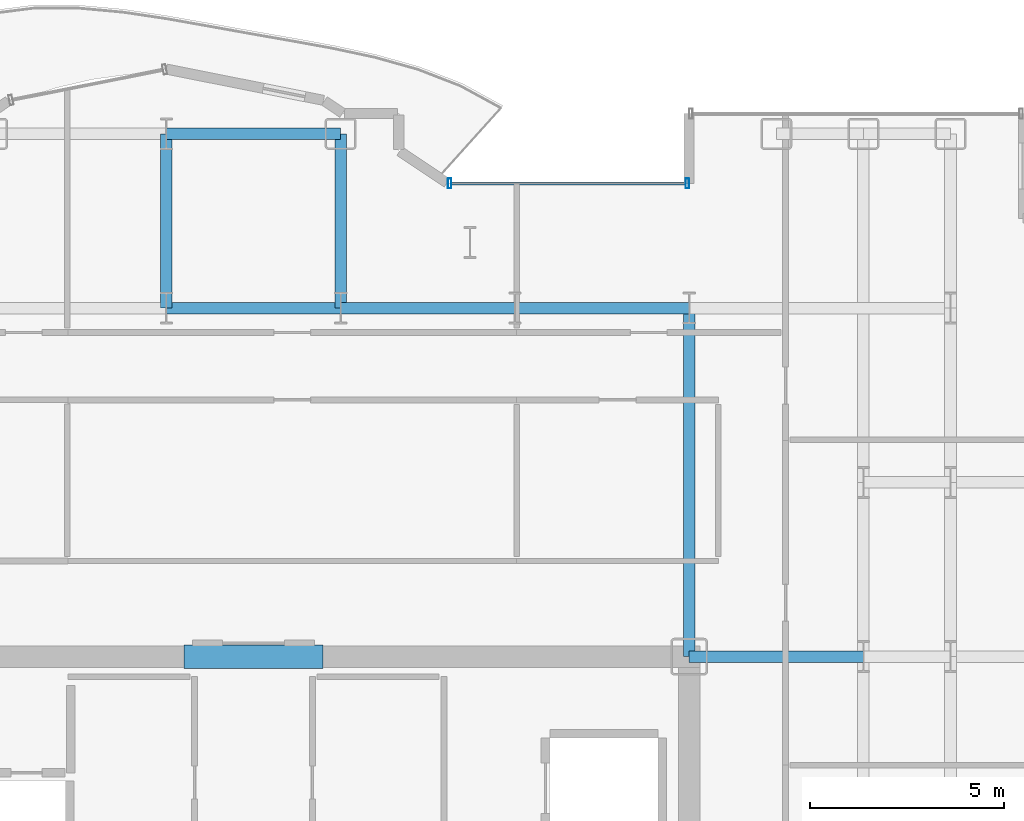
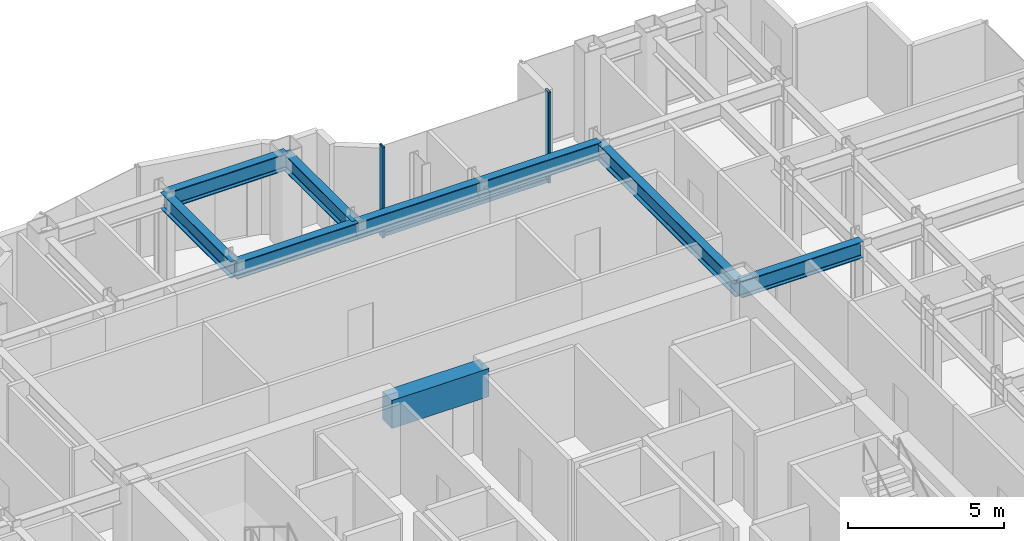
# One storey, part 12 of 23: 9 beams, 3 members, 1 element without a shape of its own.
"""IFC4 building model written with IfcOpenShell, lengths in metres."""

from ifc_helpers import new_model, si_unit, direction, frame, origin, origin_2d, place, context, subcontext, project, spatial, rectangle, hollow_rectangle, i_section, extrude, source, transform, mapped, material, layer, layer_set, material_profile, profile_set, type_object, element, aggregate, save


model = new_model("IFC4")

# Units and contexts
model_context = context("Model", 3, precision=1e-05, world=origin(), true_north=direction((0.0, 1.0)))
body_context = subcontext(model_context, "Body", "Model", "MODEL_VIEW")
ifc_project = project(units=[si_unit("LENGTHUNIT", "METRE"), si_unit("AREAUNIT", "SQUARE_METRE"), si_unit("VOLUMEUNIT", "CUBIC_METRE"), si_unit("PLANEANGLEUNIT", "RADIAN"), si_unit("MASSUNIT", "GRAM", prefix="KILO")], contexts=[model_context])

# Site, building, storey
site_placement = place(None, origin())
site = spatial("IfcSite", under=ifc_project, at=site_placement, CompositionType="ELEMENT")
building_placement = place(site_placement, origin())
building = spatial("IfcBuilding", under=site, at=building_placement, Name="Nefas-Gora Pilgrimage Tower", CompositionType="ELEMENT")
storey_placement = place(building_placement, frame((0.0, 0.0, 164.0)))
storey = spatial("IfcBuildingStorey", under=building, at=storey_placement, Name="L40", CompositionType="ELEMENT", Elevation=164.0)

# Beams
ifc_material_1 = material(Name="Concrete C60/75", Category="concrete")
ifc_material_profile_1 = material_profile(ifc_material_1, rectangle(XDim=0.60009765625, YDim=1.10009765625, at=origin_2d()), Name="RC 600x1100")
ifc_profile_set_1 = profile_set([ifc_material_profile_1], Name="Concrete C60/75")
beam_type_1 = type_object("IfcBeamType", Name="BM-LIN-RC1100", PredefinedType="LINTEL", material=ifc_profile_set_1)
shared_shape_1 = source(origin(), body_context, "Body", "SweptSolid", [
    extrude(rectangle(XDim=0.60009765625, YDim=1.10009765625, at=origin_2d()), origin(), (0.0, 0.0, 1.0), 3.60009765625),
])
beam_1_placement = place(storey_placement, frame((-1.800048828125, 9.0, 3.0), z_axis=(1.0, 0.0, 0.0), x_axis=(0.0, 1.0, 0.0)))
element("IfcBeam", 1, at=beam_1_placement, inside=storey, type_object=beam_type_1, Name="L40 Core Coupling Lintel Beam N", PredefinedType="LINTEL", context=body_context, shape_type="MappedRepresentation", body=[
    mapped(shared_shape_1, transform((0.0, 0.0, 0.0), x_axis=(1.0, 0.0, 0.0), y_axis=(0.0, 1.0, 0.0), z_axis=(0.0, 0.0, 1.0), scale=1.0)),
])
ifc_material_2 = material(Name="Steel S355", Category="steel")
ifc_material_profile_2 = material_profile(ifc_material_2, i_section(OverallWidth=0.300048828125, OverallDepth=0.64990234375, WebThickness=0.01611328125, FlangeThickness=0.031005859375, FilletRadius=0.027099609375, at=origin_2d()), Name="HEB 650")
ifc_profile_set_2 = profile_set([ifc_material_profile_2], Name="Steel S355")
beam_type_2 = type_object("IfcBeamType", Name="BM-GIR-HEB650", PredefinedType="BEAM", material=ifc_profile_set_2)
shared_shape_2 = source(origin(), body_context, "Body", "SweptSolid", [
    extrude(i_section(OverallWidth=0.300048828125, OverallDepth=0.64990234375, WebThickness=0.01611328125, FlangeThickness=0.031005859375, FilletRadius=0.027099609375, at=origin_2d()), origin(), (0.0, 0.0, 1.0), 9.0),
])
beam_2_placement = place(storey_placement, frame((11.25, 9.0, 3.22509765625), z_axis=(0.0, 1.0, 0.0), x_axis=(-1.0, 0.0, 0.0)))
element("IfcBeam", 2, at=beam_2_placement, inside=storey, type_object=beam_type_2, Name="L40 G-03 beam", PredefinedType="BEAM", context=body_context, shape_type="MappedRepresentation", body=[
    mapped(shared_shape_2, transform((0.0, 0.0, 0.0), x_axis=(1.0, 0.0, 0.0), y_axis=(0.0, 1.0, 0.0), z_axis=(0.0, 0.0, 1.0), scale=1.0)),
])
shared_shape_3 = source(origin(), body_context, "Body", "SweptSolid", [
    extrude(i_section(OverallWidth=0.300048828125, OverallDepth=0.64990234375, WebThickness=0.01611328125, FlangeThickness=0.031005859375, FilletRadius=0.027099609375, at=origin_2d()), origin(), (0.0, 0.0, 1.0), 4.5),
])
for number, where, z_axis, x_axis, name in (
    (3, (-2.25, 18.0, 3.22509765625), (0.0, 1.0, 0.0), (-1.0, 0.0, 0.0), "L40 G-03 beam"),
    (4, (-2.25, 18.0, 3.22509765625), (1.0, 0.0, 0.0), (0.0, 1.0, 0.0), "L40 G-03 beam"),
    (5, (-2.25, 22.5, 3.22509765625), (1.0, 0.0, 0.0), (0.0, 1.0, 0.0), "L40 G-03 beam"),
    (6, (2.25, 18.0, 3.22509765625), (0.0, 1.0, 0.0), (-1.0, 0.0, 0.0), "L40 G-03 beam"),
    (7, (2.25, 18.0, 3.22509765625), (1.0, 0.0, 0.0), (0.0, 1.0, 0.0), "L40 G-03 beam"),
    (8, (6.75, 18.0, 3.22509765625), (1.0, 0.0, 0.0), (0.0, 1.0, 0.0), "L40 G-03 beam"),
    (9, (11.25, 9.0, 3.22509765625), (1.0, 0.0, 0.0), (0.0, 1.0, 0.0), "L40 G-03 beam"),
):
    element("IfcBeam", number, at=place(storey_placement, frame(where, z_axis=z_axis, x_axis=x_axis)), inside=storey, type_object=beam_type_2, Name=name, PredefinedType="BEAM", context=body_context, shape_type="MappedRepresentation", body=[
        mapped(shared_shape_3, transform((0.0, 0.0, 0.0), x_axis=(1.0, 0.0, 0.0), y_axis=(0.0, 1.0, 0.0), z_axis=(0.0, 0.0, 1.0), scale=1.0)),
    ])

# Curtain wall, members
ifc_material_3 = material(Name="Dark ceramic-fritted solar-control aluminium-glass curtain wall", Category="aluminium")
ifc_layer = layer(ifc_material_3, 0.219970703125)
ifc_layer_set = layer_set([ifc_layer], Name="Dark ceramic-fritted solar-control aluminium-glass curtain wall")
curtain_wall_type = type_object("IfcCurtainWallType", Name="CW-SYS-5", PredefinedType="NOTDEFINED", material=ifc_layer_set)
curtain_wall_placement = place(storey_placement, origin())
curtain_wall = element("IfcCurtainWall", 10, at=curtain_wall_placement, inside=storey, type_object=curtain_wall_type, Name="L40 Unitised Curtain Wall CW5", PredefinedType="NOTDEFINED")
ifc_material_4 = material(Name="Anodised architectural aluminium", Category="aluminium")
ifc_material_profile_3 = material_profile(ifc_material_4, hollow_rectangle(XDim=0.090087890625, YDim=0.260009765625, WallThickness=0.006103515625, InnerFilletRadius=0.006103515625, OuterFilletRadius=0.011962890625, at=origin_2d()), Name="ALU MULLION 90x260")
ifc_profile_set_3 = profile_set([ifc_material_profile_3], Name="Anodised architectural aluminium")
member_type_1 = type_object("IfcMemberType", Name="CWM-MUL-5", PredefinedType="MULLION", material=ifc_profile_set_3)
shared_shape_4 = source(origin(), body_context, "Body", "SweptSolid", [
    extrude(hollow_rectangle(XDim=0.090087890625, YDim=0.260009765625, WallThickness=0.006103515625, InnerFilletRadius=0.006103515625, OuterFilletRadius=0.011962890625, at=origin_2d()), origin(), (0.0, 0.0, 1.0), 3.550048828125),
])
member_1_placement = place(storey_placement, frame((11.205078125, 21.219970703125, 0.0), z_axis=(0.0, 0.0, 1.0), x_axis=(-1.0, 0.0, 0.0)))
member_1 = element("IfcMember", 11, at=member_1_placement, type_object=member_type_1, Name="CW5 Mullion 1", PredefinedType="MULLION", context=body_context, shape_type="MappedRepresentation", body=[
    mapped(shared_shape_4, transform((0.0, 0.0, 0.0), x_axis=(1.0, 0.0, 0.0), y_axis=(0.0, 1.0, 0.0), z_axis=(0.0, 0.0, 1.0), scale=1.0)),
])
member_2_placement = place(storey_placement, frame((5.06298828125, 21.219970703125, 0.0), z_axis=(0.0, 0.0, 1.0), x_axis=(-1.0, 0.0, 0.0)))
member_2 = element("IfcMember", 12, at=member_2_placement, type_object=member_type_1, Name="CW5 Mullion 2", PredefinedType="MULLION", context=body_context, shape_type="MappedRepresentation", body=[
    mapped(shared_shape_4, transform((0.0, 0.0, 0.0), x_axis=(1.0, 0.0, 0.0), y_axis=(0.0, 1.0, 0.0), z_axis=(0.0, 0.0, 1.0), scale=1.0)),
])
ifc_material_profile_4 = material_profile(ifc_material_4, hollow_rectangle(XDim=0.080078125, YDim=0.159912109375, WallThickness=0.00439453125, InnerFilletRadius=0.00439453125, OuterFilletRadius=0.009033203125, at=origin_2d()), Name="ALU TRANSOM 80x160")
ifc_profile_set_4 = profile_set([ifc_material_profile_4], Name="Anodised architectural aluminium")
member_type_2 = type_object("IfcMemberType", Name="CWM-TRN-5", PredefinedType="USERDEFINED", material=ifc_profile_set_4)
shared_shape_5 = source(origin(), body_context, "Body", "SweptSolid", [
    extrude(hollow_rectangle(XDim=0.080078125, YDim=0.159912109375, WallThickness=0.00439453125, InnerFilletRadius=0.00439453125, OuterFilletRadius=0.009033203125, at=origin_2d()), origin(), (0.0, 0.0, 1.0), 6.052001953125),
])
member_3_placement = place(storey_placement, frame((11.159912109375, 21.219970703125, 0.050048828125), z_axis=(-1.0, 0.0, 0.0), x_axis=(0.0, -1.0, 0.0)))
member_3 = element("IfcMember", 13, at=member_3_placement, type_object=member_type_2, Name="CW5 Spandrel Transom", ObjectType="TRANSOM", PredefinedType="USERDEFINED", context=body_context, shape_type="MappedRepresentation", body=[
    mapped(shared_shape_5, transform((0.0, 0.0, 0.0), x_axis=(1.0, 0.0, 0.0), y_axis=(0.0, 1.0, 0.0), z_axis=(0.0, 0.0, 1.0), scale=1.0)),
])
aggregate(curtain_wall, [member_1, member_2, member_3])

save(model, "model.ifc")
